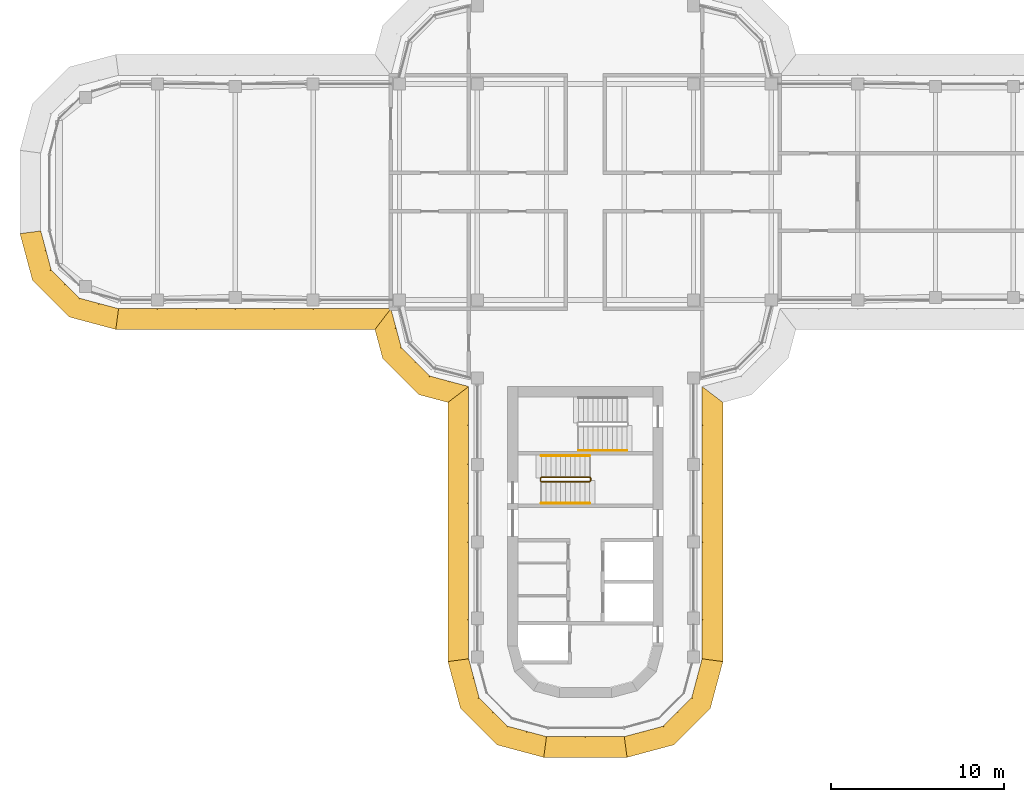
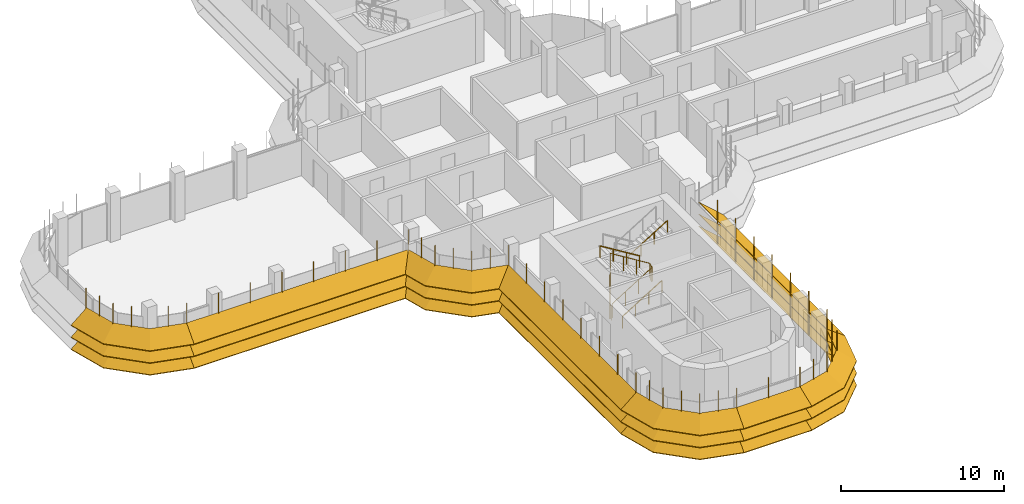
# One storey, part 16 of 19: 8 shading devices, 4 railings.
"""IFC4 building model written with IfcOpenShell, lengths in metres."""

from ifc_helpers import new_model, si_unit, direction, frame, origin, origin_2d, place, context, subcontext, project, spatial, polyline, circle, outline, extrude, faceted_brep, source, transform, mapped, material, type_object, element, save


model = new_model("IFC4")

# Units and contexts
model_context = context("Model", 3, precision=1e-05, world=origin(), true_north=direction((0.0, 1.0)))
body_context = subcontext(model_context, "Body", "Model", "MODEL_VIEW")
ifc_project = project(units=[si_unit("LENGTHUNIT", "METRE"), si_unit("AREAUNIT", "SQUARE_METRE"), si_unit("VOLUMEUNIT", "CUBIC_METRE"), si_unit("PLANEANGLEUNIT", "RADIAN"), si_unit("MASSUNIT", "GRAM", prefix="KILO")], contexts=[model_context])

# Site, building, storey
site_placement = place(None, origin())
site = spatial("IfcSite", under=ifc_project, at=site_placement, CompositionType="ELEMENT")
building_placement = place(site_placement, origin())
building = spatial("IfcBuilding", under=site, at=building_placement, Name="Zarbagh Exchange Tower", CompositionType="ELEMENT")
storey_placement = place(building_placement, frame((0.0, 0.0, 237.199951171875)))
storey = spatial("IfcBuildingStorey", under=building, at=storey_placement, Name="L58", CompositionType="ELEMENT", Elevation=237.199951171875)

# Railings
ifc_material_1 = material(Name="Stainless steel", Category="steel")
railing_type_1 = type_object("IfcRailingType", Name="Stair guard 1100 mm", PredefinedType="GUARDRAIL", material=ifc_material_1)
railing_1_placement = place(storey_placement, frame((-2.550048828125, -16.75, 0.1728515625)))
element("IfcRailing", 1, at=railing_1_placement, inside=storey, type_object=railing_type_1, Name="ST3 stair guard 1", PredefinedType="GUARDRAIL", context=body_context, shape_type="SweptSolid", body=[
    extrude(circle(Radius=0.02392578125, at=origin_2d()), frame((0.0, 0.0, 1.076171875), z_axis=(0.851089632645, 0.0, 0.525020415988), x_axis=(0.0, 1.0, 0.0)), (0.0, 0.0, 1.0), 3.2900390625),
    extrude(circle(Radius=0.02392578125, at=origin_2d()), frame((2.800048828125, 0.0, 2.80322265625), z_axis=(0.707106781187, 0.707106781187, 0.0), x_axis=(-0.707106781187, 0.707106781187, 0.0)), (0.0, 0.0, 1.0), 0.07080078125),
    extrude(circle(Radius=0.02392578125, at=origin_2d()), frame((2.85009765625, 0.050048828125, 2.80322265625), z_axis=(0.0, 1.0, 0.0), x_axis=(-1.0, 0.0, 0.0)), (0.0, 0.0, 1.0), 0.14990234375),
    extrude(circle(Radius=0.02392578125, at=origin_2d()), frame((2.85009765625, 0.199951171875, 2.80322265625), z_axis=(-0.268277960024, 0.268277960024, 0.925231793839), x_axis=(-0.707106781187, -0.707106781187, 0.0)), (0.0, 0.0, 1.0), 0.1865234375),
    extrude(circle(Radius=0.02392578125, at=origin_2d()), frame((2.800048828125, 0.25, 2.97607421875), z_axis=(-0.851089632645, 0.0, 0.525020415988), x_axis=(0.0, -1.0, 0.0)), (0.0, 0.0, 1.0), 3.2900390625),
    extrude(circle(Radius=0.02392578125, at=origin_2d()), frame((0.0, 0.25, 4.703125), z_axis=(-0.013168290981, -0.013168290981, -0.999826581076), x_axis=(0.707106781187, -0.707106781187, 0.0)), (0.0, 0.0, 1.0), 3.80078125),
    extrude(circle(Radius=0.02392578125, at=origin_2d()), frame((-0.050048828125, 0.199951171875, 0.9033203125), z_axis=(0.0, -1.0, 0.0), x_axis=(1.0, 0.0, 0.0)), (0.0, 0.0, 1.0), 0.14990234375),
    extrude(circle(Radius=0.02099609375, at=origin_2d()), origin(), (0.0, 0.0, 1.0), 1.052001953125),
    extrude(circle(Radius=0.02099609375, at=origin_2d()), frame((0.933349609375, 0.0, 0.57568359375)), (0.0, 0.0, 1.0), 1.052001953125),
    extrude(circle(Radius=0.02099609375, at=origin_2d()), frame((1.86669921875, 0.0, 1.151611328125)), (0.0, 0.0, 1.0), 1.052001953125),
    extrude(circle(Radius=0.02099609375, at=origin_2d()), frame((2.800048828125, 0.0, 1.727294921875)), (0.0, 0.0, 1.0), 1.052001953125),
    extrude(circle(Radius=0.02099609375, at=origin_2d()), frame((2.85009765625, 0.050048828125, 1.727294921875)), (0.0, 0.0, 1.0), 1.052001953125),
    extrude(circle(Radius=0.02099609375, at=origin_2d()), frame((2.85009765625, 0.199951171875, 1.727294921875)), (0.0, 0.0, 1.0), 1.052001953125),
    extrude(circle(Radius=0.02099609375, at=origin_2d()), frame((2.800048828125, 0.25, 1.89990234375)), (0.0, 0.0, 1.0), 1.052001953125),
    extrude(circle(Radius=0.02099609375, at=origin_2d()), frame((1.86669921875, 0.25, 2.4755859375)), (0.0, 0.0, 1.0), 1.052001953125),
    extrude(circle(Radius=0.02099609375, at=origin_2d()), frame((0.933349609375, 0.25, 3.051513671875)), (0.0, 0.0, 1.0), 1.052001953125),
    extrude(circle(Radius=0.02099609375, at=origin_2d()), frame((0.0, 0.25, 3.627197265625)), (0.0, 0.0, 1.0), 1.052001953125),
    extrude(circle(Radius=0.02099609375, at=origin_2d()), frame((-0.012451171875, 0.237548828125, 2.67724609375)), (0.0, 0.0, 1.0), 1.052001953125),
    extrude(circle(Radius=0.02099609375, at=origin_2d()), frame((-0.02490234375, 0.22509765625, 1.72705078125)), (0.0, 0.0, 1.0), 1.052001953125),
    extrude(circle(Radius=0.02099609375, at=origin_2d()), frame((-0.03759765625, 0.21240234375, 0.777099609375)), (0.0, 0.0, 1.0), 1.052001953125),
    extrude(circle(Radius=0.02099609375, at=origin_2d()), frame((-0.050048828125, 0.199951171875, -0.1728515625)), (0.0, 0.0, 1.0), 1.052001953125),
    extrude(circle(Radius=0.02099609375, at=origin_2d()), frame((-0.050048828125, 0.050048828125, -0.1728515625)), (0.0, 0.0, 1.0), 1.052001953125),
])
railing_type_2 = type_object("IfcRailingType", Name="Stair handrail 900 mm", PredefinedType="HANDRAIL", material=ifc_material_1)
railing_2_placement = place(storey_placement, frame((-2.550048828125, -18.0, 0.1728515625)))
element("IfcRailing", 2, at=railing_2_placement, inside=storey, type_object=railing_type_2, Name="ST3 stair handrail 1", PredefinedType="HANDRAIL", context=body_context, shape_type="SweptSolid", body=[
    extrude(circle(Radius=0.02392578125, at=origin_2d()), frame((0.0, 0.0, 0.8759765625), z_axis=(0.851089632645, 0.0, 0.525020415988), x_axis=(0.0, 1.0, 0.0)), (0.0, 0.0, 1.0), 3.2900390625),
    extrude(circle(Radius=0.02099609375, at=origin_2d()), origin(), (0.0, 0.0, 1.0), 0.851806640625),
    extrude(circle(Radius=0.02099609375, at=origin_2d()), frame((0.933349609375, 0.0, 0.57568359375)), (0.0, 0.0, 1.0), 0.851806640625),
    extrude(circle(Radius=0.02099609375, at=origin_2d()), frame((1.86669921875, 0.0, 1.151611328125)), (0.0, 0.0, 1.0), 0.851806640625),
    extrude(circle(Radius=0.02099609375, at=origin_2d()), frame((2.800048828125, 0.0, 1.727294921875)), (0.0, 0.0, 1.0), 0.851806640625),
])
railing_3_placement = place(storey_placement, frame((0.25, -15.25, 2.07275390625)))
element("IfcRailing", 3, at=railing_3_placement, inside=storey, type_object=railing_type_2, Name="ST3 stair handrail 2", PredefinedType="HANDRAIL", context=body_context, shape_type="SweptSolid", body=[
    extrude(circle(Radius=0.02392578125, at=origin_2d()), frame((0.0, 0.0, 0.8759765625), z_axis=(-0.851089632645, 0.0, 0.525020415988), x_axis=(0.0, -1.0, 0.0)), (0.0, 0.0, 1.0), 3.2900390625),
    extrude(circle(Radius=0.02099609375, at=origin_2d()), origin(), (0.0, 0.0, 1.0), 0.851806640625),
    extrude(circle(Radius=0.02099609375, at=origin_2d()), frame((-0.933349609375, 0.0, 0.57568359375)), (0.0, 0.0, 1.0), 0.851806640625),
    extrude(circle(Radius=0.02099609375, at=origin_2d()), frame((-1.86669921875, 0.0, 1.151611328125)), (0.0, 0.0, 1.0), 0.851806640625),
    extrude(circle(Radius=0.02099609375, at=origin_2d()), frame((-2.800048828125, 0.0, 1.727294921875)), (0.0, 0.0, 1.0), 0.851806640625),
])
railing_4_placement = place(storey_placement, frame((-0.39990234375, -14.949951171875, 2.07275390625)))
element("IfcRailing", 4, at=railing_4_placement, inside=storey, type_object=railing_type_2, Name="ST4 stair handrail 2", PredefinedType="HANDRAIL", context=body_context, shape_type="SweptSolid", body=[
    extrude(circle(Radius=0.02392578125, at=origin_2d()), frame((0.0, 0.0, 0.8759765625), z_axis=(0.851069175582, 0.0, 0.525053576669), x_axis=(0.0, 1.0, 0.0)), (0.0, 0.0, 1.0), 3.289794921875),
    extrude(circle(Radius=0.02099609375, at=origin_2d()), origin(), (0.0, 0.0, 1.0), 0.851806640625),
    extrude(circle(Radius=0.02099609375, at=origin_2d()), frame((0.933349609375, 0.0, 0.57568359375)), (0.0, 0.0, 1.0), 0.851806640625),
    extrude(circle(Radius=0.02099609375, at=origin_2d()), frame((1.866455078125, 0.0, 1.151611328125)), (0.0, 0.0, 1.0), 0.851806640625),
    extrude(circle(Radius=0.02099609375, at=origin_2d()), frame((2.7998046875, 0.0, 1.727294921875)), (0.0, 0.0, 1.0), 0.851806640625),
])

# Shading devices
ifc_material_2 = material(Name="Anodised aluminium blades and brackets", Category="aluminium")
shading_device_type = type_object("IfcShadingDeviceType", Name="SUNSHADE louvre band, 33.75 degree blades", PredefinedType="JALOUSIE", material=ifc_material_2)
shared_shape_1 = source(origin(), body_context, "Body", "Brep", [
    faceted_brep([(0.0, 0.0, 0.0), (0.0, 0.0, -0.048095703125), (-0.157958984375, -1.199951171875, -0.849853515625), (-0.157958984375, -1.199951171875, -0.8017578125), (2.65087890625, -1.199951171875, -0.8017578125), (2.65087890625, -1.199951171875, -0.849853515625), (2.329345703125, 0.0, -0.048095703125), (2.329345703125, 0.0, 0.0)], [[[0, 1, 2, 3]], [[4, 5, 6, 7]], [[0, 7, 6, 1]], [[1, 6, 5, 2]], [[2, 5, 4, 3]], [[3, 4, 7, 0]]]),
])
shared_shape_2 = source(origin(), body_context, "Body", "Brep", [
    faceted_brep([(0.0, 0.0, 0.0), (0.0, 0.0, -0.048095703125), (-0.321533203125, -1.199951171875, -0.849853515625), (-0.321533203125, -1.199951171875, -0.8017578125), (2.65087890625, -1.199951171875, -0.8017578125), (2.65087890625, -1.199951171875, -0.849853515625), (2.329345703125, 0.0, -0.048095703125), (2.329345703125, 0.0, 0.0)], [[[0, 1, 2, 3]], [[4, 5, 6, 7]], [[0, 7, 6, 1]], [[1, 6, 5, 2]], [[2, 5, 4, 3]], [[3, 4, 7, 0]]]),
])
shared_shape_3 = source(origin(), body_context, "Body", "Brep", [
    faceted_brep([(0.0, 0.0, 0.0), (0.0, 0.0, -0.048095703125), (-0.321533203125, -1.199951171875, -0.849853515625), (-0.321533203125, -1.199951171875, -0.8017578125), (2.4873046875, -1.199951171875, -0.8017578125), (2.4873046875, -1.199951171875, -0.849853515625), (2.329345703125, 0.0, -0.048095703125), (2.329345703125, 0.0, 0.0)], [[[0, 1, 2, 3]], [[4, 5, 6, 7]], [[0, 7, 6, 1]], [[1, 6, 5, 2]], [[2, 5, 4, 3]], [[3, 4, 7, 0]]]),
])
shared_shape_4 = source(origin(), body_context, "Body", "SweptSolid", [
    extrude(outline(polyline([(0.0, -0.012451171875), (0.06005859375, -0.012451171875), (0.06005859375, 0.012451171875), (0.0, 0.012451171875), (0.0, -0.012451171875)])), origin(), (0.0, 0.0, 1.0), 3.358154296875),
])
placement = place(storey_placement, origin())
element("IfcShadingDevice", 5, at=placement, inside=storey, type_object=shading_device_type, Name="SS35 sunshade band", PredefinedType="JALOUSIE", context=body_context, shape_type="MappedRepresentation", body=[
    mapped(shared_shape_1, transform((2.25, -31.5, 2.300048828125), x_axis=(0.965924289636, 0.258824779902, 0.0), y_axis=(-0.258824779902, 0.965924289636, 0.0), z_axis=(0.0, 0.0, 1.0))),
    mapped(shared_shape_1, transform((2.25, -31.5, 1.400146484375), x_axis=(0.965924289636, 0.258824779902, 0.0), y_axis=(-0.258824779902, 0.965924289636, 0.0), z_axis=(0.0, 0.0, 1.0))),
    mapped(shared_shape_1, transform((2.25, -31.5, 0.5), x_axis=(0.965924289636, 0.258824779902, 0.0), y_axis=(-0.258824779902, 0.965924289636, 0.0), z_axis=(0.0, 0.0, 1.0))),
    mapped(shared_shape_2, transform((4.5, -30.897216796875, 2.300048828125), x_axis=(0.707106781187, 0.707106781187, 0.0), y_axis=(-0.707106781187, 0.707106781187, 0.0), z_axis=(0.0, 0.0, 1.0))),
    mapped(shared_shape_2, transform((4.5, -30.897216796875, 1.400146484375), x_axis=(0.707106781187, 0.707106781187, 0.0), y_axis=(-0.707106781187, 0.707106781187, 0.0), z_axis=(0.0, 0.0, 1.0))),
    mapped(shared_shape_2, transform((4.5, -30.897216796875, 0.5), x_axis=(0.707106781187, 0.707106781187, 0.0), y_axis=(-0.707106781187, 0.707106781187, 0.0), z_axis=(0.0, 0.0, 1.0))),
    mapped(shared_shape_3, transform((6.147216796875, -29.25, 2.300048828125), x_axis=(0.258824779902, 0.965924289636, 0.0), y_axis=(-0.965924289636, 0.258824779902, 0.0), z_axis=(0.0, 0.0, 1.0))),
    mapped(shared_shape_3, transform((6.147216796875, -29.25, 1.400146484375), x_axis=(0.258824779902, 0.965924289636, 0.0), y_axis=(-0.965924289636, 0.258824779902, 0.0), z_axis=(0.0, 0.0, 1.0))),
    mapped(shared_shape_3, transform((6.147216796875, -29.25, 0.5), x_axis=(0.258824779902, 0.965924289636, 0.0), y_axis=(-0.965924289636, 0.258824779902, 0.0), z_axis=(0.0, 0.0, 1.0))),
    mapped(shared_shape_4, transform((2.25, -31.5, 0.421875), x_axis=(0.130529263012, -0.991444457092, 0.0), y_axis=(0.991444457092, 0.130529263012, 0.0), z_axis=(0.0, 0.0, 1.0))),
    mapped(shared_shape_4, transform((3.375, -31.198486328125, 0.421875), x_axis=(0.258825058029, -0.96592421511, 0.0), y_axis=(0.96592421511, 0.258825058029, 0.0), z_axis=(0.0, 0.0, 1.0))),
    mapped(shared_shape_4, transform((4.5, -30.897216796875, 0.421875), x_axis=(0.50000275701, -0.866023812018, 0.0), y_axis=(0.866023812018, 0.50000275701, 0.0), z_axis=(0.0, 0.0, 1.0))),
    mapped(shared_shape_4, transform((5.323486328125, -30.073486328125, 0.421875), x_axis=(0.707106781187, -0.707106781187, 0.0), y_axis=(0.707106781187, 0.707106781187, 0.0), z_axis=(0.0, 0.0, 1.0))),
    mapped(shared_shape_4, transform((6.147216796875, -29.25, 0.421875), x_axis=(0.866023812018, -0.50000275701, 0.0), y_axis=(0.50000275701, 0.866023812018, 0.0), z_axis=(0.0, 0.0, 1.0))),
    mapped(shared_shape_4, transform((6.448486328125, -28.125, 0.421875), x_axis=(0.96592421511, -0.258825058029, 0.0), y_axis=(0.258825058029, 0.96592421511, 0.0), z_axis=(0.0, 0.0, 1.0))),
])
element("IfcShadingDevice", 6, at=placement, inside=storey, type_object=shading_device_type, Name="SS43 sunshade band", PredefinedType="JALOUSIE", context=body_context, shape_type="MappedRepresentation", body=[
    mapped(shared_shape_1, transform((-31.5, -2.25, 2.300048828125), x_axis=(0.258824779902, -0.965924289636, 0.0), y_axis=(0.965924289636, 0.258824779902, 0.0), z_axis=(0.0, 0.0, 1.0))),
    mapped(shared_shape_1, transform((-31.5, -2.25, 1.400146484375), x_axis=(0.258824779902, -0.965924289636, 0.0), y_axis=(0.965924289636, 0.258824779902, 0.0), z_axis=(0.0, 0.0, 1.0))),
    mapped(shared_shape_1, transform((-31.5, -2.25, 0.5), x_axis=(0.258824779902, -0.965924289636, 0.0), y_axis=(0.965924289636, 0.258824779902, 0.0), z_axis=(0.0, 0.0, 1.0))),
    mapped(shared_shape_2, transform((-30.897216796875, -4.5, 2.300048828125), x_axis=(0.707106781187, -0.707106781187, 0.0), y_axis=(0.707106781187, 0.707106781187, 0.0), z_axis=(0.0, 0.0, 1.0))),
    mapped(shared_shape_2, transform((-30.897216796875, -4.5, 1.400146484375), x_axis=(0.707106781187, -0.707106781187, 0.0), y_axis=(0.707106781187, 0.707106781187, 0.0), z_axis=(0.0, 0.0, 1.0))),
    mapped(shared_shape_2, transform((-30.897216796875, -4.5, 0.5), x_axis=(0.707106781187, -0.707106781187, 0.0), y_axis=(0.707106781187, 0.707106781187, 0.0), z_axis=(0.0, 0.0, 1.0))),
    mapped(shared_shape_3, transform((-29.25, -6.147216796875, 2.300048828125), x_axis=(0.965924289636, -0.258824779902, 0.0), y_axis=(0.258824779902, 0.965924289636, 0.0), z_axis=(0.0, 0.0, 1.0))),
    mapped(shared_shape_3, transform((-29.25, -6.147216796875, 1.400146484375), x_axis=(0.965924289636, -0.258824779902, 0.0), y_axis=(0.258824779902, 0.965924289636, 0.0), z_axis=(0.0, 0.0, 1.0))),
    mapped(shared_shape_3, transform((-29.25, -6.147216796875, 0.5), x_axis=(0.965924289636, -0.258824779902, 0.0), y_axis=(0.258824779902, 0.965924289636, 0.0), z_axis=(0.0, 0.0, 1.0))),
    mapped(shared_shape_4, transform((-31.5, -2.25, 0.421875), x_axis=(-0.991444457092, -0.130529263012, 0.0), y_axis=(0.130529263012, -0.991444457092, 0.0), z_axis=(0.0, 0.0, 1.0))),
    mapped(shared_shape_4, transform((-31.198486328125, -3.375, 0.421875), x_axis=(-0.96592421511, -0.258825058029, 0.0), y_axis=(0.258825058029, -0.96592421511, 0.0), z_axis=(0.0, 0.0, 1.0))),
    mapped(shared_shape_4, transform((-30.897216796875, -4.5, 0.421875), x_axis=(-0.866023812018, -0.50000275701, 0.0), y_axis=(0.50000275701, -0.866023812018, 0.0), z_axis=(0.0, 0.0, 1.0))),
    mapped(shared_shape_4, transform((-30.073486328125, -5.323486328125, 0.421875), x_axis=(-0.707106781187, -0.707106781187, 0.0), y_axis=(0.707106781187, -0.707106781187, 0.0), z_axis=(0.0, 0.0, 1.0))),
    mapped(shared_shape_4, transform((-29.25, -6.147216796875, 0.421875), x_axis=(-0.50000275701, -0.866023812018, 0.0), y_axis=(0.866023812018, -0.50000275701, 0.0), z_axis=(0.0, 0.0, 1.0))),
    mapped(shared_shape_4, transform((-28.125, -6.448486328125, 0.421875), x_axis=(-0.258825058029, -0.96592421511, 0.0), y_axis=(0.96592421511, -0.258825058029, 0.0), z_axis=(0.0, 0.0, 1.0))),
])
element("IfcShadingDevice", 7, at=placement, inside=storey, type_object=shading_device_type, Name="SS38 sunshade band", PredefinedType="JALOUSIE", context=body_context, shape_type="MappedRepresentation", body=[
    mapped(shared_shape_1, transform((-6.75, -27.0, 2.300048828125), x_axis=(0.258824779902, -0.965924289636, 0.0), y_axis=(0.965924289636, 0.258824779902, 0.0), z_axis=(0.0, 0.0, 1.0))),
    mapped(shared_shape_1, transform((-6.75, -27.0, 1.400146484375), x_axis=(0.258824779902, -0.965924289636, 0.0), y_axis=(0.965924289636, 0.258824779902, 0.0), z_axis=(0.0, 0.0, 1.0))),
    mapped(shared_shape_1, transform((-6.75, -27.0, 0.5), x_axis=(0.258824779902, -0.965924289636, 0.0), y_axis=(0.965924289636, 0.258824779902, 0.0), z_axis=(0.0, 0.0, 1.0))),
    mapped(shared_shape_2, transform((-6.147216796875, -29.25, 2.300048828125), x_axis=(0.707106781187, -0.707106781187, 0.0), y_axis=(0.707106781187, 0.707106781187, 0.0), z_axis=(0.0, 0.0, 1.0))),
    mapped(shared_shape_2, transform((-6.147216796875, -29.25, 1.400146484375), x_axis=(0.707106781187, -0.707106781187, 0.0), y_axis=(0.707106781187, 0.707106781187, 0.0), z_axis=(0.0, 0.0, 1.0))),
    mapped(shared_shape_2, transform((-6.147216796875, -29.25, 0.5), x_axis=(0.707106781187, -0.707106781187, 0.0), y_axis=(0.707106781187, 0.707106781187, 0.0), z_axis=(0.0, 0.0, 1.0))),
    mapped(shared_shape_3, transform((-4.5, -30.897216796875, 2.300048828125), x_axis=(0.965924289636, -0.258824779902, 0.0), y_axis=(0.258824779902, 0.965924289636, 0.0), z_axis=(0.0, 0.0, 1.0))),
    mapped(shared_shape_3, transform((-4.5, -30.897216796875, 1.400146484375), x_axis=(0.965924289636, -0.258824779902, 0.0), y_axis=(0.258824779902, 0.965924289636, 0.0), z_axis=(0.0, 0.0, 1.0))),
    mapped(shared_shape_3, transform((-4.5, -30.897216796875, 0.5), x_axis=(0.965924289636, -0.258824779902, 0.0), y_axis=(0.258824779902, 0.965924289636, 0.0), z_axis=(0.0, 0.0, 1.0))),
    mapped(shared_shape_4, transform((-6.75, -27.0, 0.421875), x_axis=(-0.991444457092, -0.130529263012, 0.0), y_axis=(0.130529263012, -0.991444457092, 0.0), z_axis=(0.0, 0.0, 1.0))),
    mapped(shared_shape_4, transform((-6.448486328125, -28.125, 0.421875), x_axis=(-0.96592421511, -0.258825058029, 0.0), y_axis=(0.258825058029, -0.96592421511, 0.0), z_axis=(0.0, 0.0, 1.0))),
    mapped(shared_shape_4, transform((-6.147216796875, -29.25, 0.421875), x_axis=(-0.866023812018, -0.50000275701, 0.0), y_axis=(0.50000275701, -0.866023812018, 0.0), z_axis=(0.0, 0.0, 1.0))),
    mapped(shared_shape_4, transform((-5.323486328125, -30.073486328125, 0.421875), x_axis=(-0.707106781187, -0.707106781187, 0.0), y_axis=(0.707106781187, -0.707106781187, 0.0), z_axis=(0.0, 0.0, 1.0))),
    mapped(shared_shape_4, transform((-4.5, -30.897216796875, 0.421875), x_axis=(-0.50000275701, -0.866023812018, 0.0), y_axis=(0.866023812018, -0.50000275701, 0.0), z_axis=(0.0, 0.0, 1.0))),
    mapped(shared_shape_4, transform((-3.375, -31.198486328125, 0.421875), x_axis=(-0.258825058029, -0.96592421511, 0.0), y_axis=(0.96592421511, -0.258825058029, 0.0), z_axis=(0.0, 0.0, 1.0))),
])
shared_shape_5 = source(origin(), body_context, "Body", "Brep", [
    faceted_brep([(0.0, 0.0, 0.0), (0.0, 0.0, -0.048095703125), (0.9208984375, -1.199951171875, -0.849853515625), (0.9208984375, -1.199951171875, -0.8017578125), (2.65087890625, -1.199951171875, -0.8017578125), (2.65087890625, -1.199951171875, -0.849853515625), (2.329345703125, 0.0, -0.048095703125), (2.329345703125, 0.0, 0.0)], [[[0, 1, 2, 3]], [[4, 5, 6, 7]], [[0, 7, 6, 1]], [[1, 6, 5, 2]], [[2, 5, 4, 3]], [[3, 4, 7, 0]]]),
])
shared_shape_6 = source(origin(), body_context, "Body", "Brep", [
    faceted_brep([(0.0, 0.0, 0.0), (0.0, 0.0, -0.048095703125), (-0.321533203125, -1.199951171875, -0.849853515625), (-0.321533203125, -1.199951171875, -0.8017578125), (1.40869140625, -1.199951171875, -0.8017578125), (1.40869140625, -1.199951171875, -0.849853515625), (2.329345703125, 0.0, -0.048095703125), (2.329345703125, 0.0, 0.0)], [[[0, 1, 2, 3]], [[4, 5, 6, 7]], [[0, 7, 6, 1]], [[1, 6, 5, 2]], [[2, 5, 4, 3]], [[3, 4, 7, 0]]]),
])
element("IfcShadingDevice", 8, at=placement, inside=storey, type_object=shading_device_type, Name="SS21 sunshade band", PredefinedType="JALOUSIE", context=body_context, shape_type="MappedRepresentation", body=[
    mapped(shared_shape_5, transform((-11.25, -6.75, 2.300048828125), x_axis=(0.258824779902, -0.965924289636, 0.0), y_axis=(0.965924289636, 0.258824779902, 0.0), z_axis=(0.0, 0.0, 1.0))),
    mapped(shared_shape_5, transform((-11.25, -6.75, 1.400146484375), x_axis=(0.258824779902, -0.965924289636, 0.0), y_axis=(0.965924289636, 0.258824779902, 0.0), z_axis=(0.0, 0.0, 1.0))),
    mapped(shared_shape_5, transform((-11.25, -6.75, 0.5), x_axis=(0.258824779902, -0.965924289636, 0.0), y_axis=(0.965924289636, 0.258824779902, 0.0), z_axis=(0.0, 0.0, 1.0))),
    mapped(shared_shape_2, transform((-10.647216796875, -9.0, 2.300048828125), x_axis=(0.707106781187, -0.707106781187, 0.0), y_axis=(0.707106781187, 0.707106781187, 0.0), z_axis=(0.0, 0.0, 1.0))),
    mapped(shared_shape_2, transform((-10.647216796875, -9.0, 1.400146484375), x_axis=(0.707106781187, -0.707106781187, 0.0), y_axis=(0.707106781187, 0.707106781187, 0.0), z_axis=(0.0, 0.0, 1.0))),
    mapped(shared_shape_2, transform((-10.647216796875, -9.0, 0.5), x_axis=(0.707106781187, -0.707106781187, 0.0), y_axis=(0.707106781187, 0.707106781187, 0.0), z_axis=(0.0, 0.0, 1.0))),
    mapped(shared_shape_6, transform((-9.0, -10.647216796875, 2.300048828125), x_axis=(0.965924289636, -0.258824779902, 0.0), y_axis=(0.258824779902, 0.965924289636, 0.0), z_axis=(0.0, 0.0, 1.0))),
    mapped(shared_shape_6, transform((-9.0, -10.647216796875, 1.400146484375), x_axis=(0.965924289636, -0.258824779902, 0.0), y_axis=(0.258824779902, 0.965924289636, 0.0), z_axis=(0.0, 0.0, 1.0))),
    mapped(shared_shape_6, transform((-9.0, -10.647216796875, 0.5), x_axis=(0.965924289636, -0.258824779902, 0.0), y_axis=(0.258824779902, 0.965924289636, 0.0), z_axis=(0.0, 0.0, 1.0))),
    mapped(shared_shape_4, transform((-11.25, -6.75, 0.421875), x_axis=(-0.608758892, -0.793355287, 0.0), y_axis=(0.793355287, -0.608758892, 0.0), z_axis=(0.0, 0.0, 1.0))),
    mapped(shared_shape_4, transform((-10.948486328125, -7.875, 0.421875), x_axis=(-0.96592421511, -0.258825058029, 0.0), y_axis=(0.258825058029, -0.96592421511, 0.0), z_axis=(0.0, 0.0, 1.0))),
    mapped(shared_shape_4, transform((-10.647216796875, -9.0, 0.421875), x_axis=(-0.866023812018, -0.50000275701, 0.0), y_axis=(0.50000275701, -0.866023812018, 0.0), z_axis=(0.0, 0.0, 1.0))),
    mapped(shared_shape_4, transform((-9.823486328125, -9.823486328125, 0.421875), x_axis=(-0.707106781187, -0.707106781187, 0.0), y_axis=(0.707106781187, -0.707106781187, 0.0), z_axis=(0.0, 0.0, 1.0))),
    mapped(shared_shape_4, transform((-9.0, -10.647216796875, 0.421875), x_axis=(-0.50000275701, -0.866023812018, 0.0), y_axis=(0.866023812018, -0.50000275701, 0.0), z_axis=(0.0, 0.0, 1.0))),
    mapped(shared_shape_4, transform((-7.875, -10.948486328125, 0.421875), x_axis=(-0.258825058029, -0.96592421511, 0.0), y_axis=(0.96592421511, -0.258825058029, 0.0), z_axis=(0.0, 0.0, 1.0))),
])
shared_shape_7 = source(origin(), body_context, "Body", "Brep", [
    faceted_brep([(0.0, 0.0, 0.0), (0.0, 0.0, -0.048095703125), (-0.157958984375, -1.199951171875, -0.849853515625), (-0.157958984375, -1.199951171875, -0.8017578125), (14.8291015625, -1.199951171875, -0.8017578125), (14.8291015625, -1.199951171875, -0.849853515625), (15.75, 0.0, -0.048095703125), (15.75, 0.0, 0.0)], [[[0, 1, 2, 3]], [[4, 5, 6, 7]], [[0, 7, 6, 1]], [[1, 6, 5, 2]], [[2, 5, 4, 3]], [[3, 4, 7, 0]]]),
])
element("IfcShadingDevice", 9, at=placement, inside=storey, type_object=shading_device_type, Name="SS36 sunshade band", PredefinedType="JALOUSIE", context=body_context, shape_type="MappedRepresentation", body=[
    mapped(shared_shape_7, transform((6.75, -27.0, 2.300048828125), x_axis=(0.0, 1.0, 0.0), y_axis=(-1.0, 0.0, 0.0), z_axis=(0.0, 0.0, 1.0))),
    mapped(shared_shape_7, transform((6.75, -27.0, 1.400146484375), x_axis=(0.0, 1.0, 0.0), y_axis=(-1.0, 0.0, 0.0), z_axis=(0.0, 0.0, 1.0))),
    mapped(shared_shape_7, transform((6.75, -27.0, 0.5), x_axis=(0.0, 1.0, 0.0), y_axis=(-1.0, 0.0, 0.0), z_axis=(0.0, 0.0, 1.0))),
    mapped(shared_shape_4, transform((6.75, -27.0, 0.421875), x_axis=(0.991444457092, -0.130529263012, 0.0), y_axis=(0.130529263012, 0.991444457092, 0.0), z_axis=(0.0, 0.0, 1.0))),
    mapped(shared_shape_4, transform((6.75, -24.75, 0.421875), x_axis=(1.0, 0.0, 0.0), y_axis=(0.0, 1.0, 0.0), z_axis=(0.0, 0.0, 1.0))),
    mapped(shared_shape_4, transform((6.75, -22.5, 0.421875), x_axis=(1.0, 0.0, 0.0), y_axis=(0.0, 1.0, 0.0), z_axis=(0.0, 0.0, 1.0))),
    mapped(shared_shape_4, transform((6.75, -20.25, 0.421875), x_axis=(1.0, 0.0, 0.0), y_axis=(0.0, 1.0, 0.0), z_axis=(0.0, 0.0, 1.0))),
    mapped(shared_shape_4, transform((6.75, -18.0, 0.421875), x_axis=(1.0, 0.0, 0.0), y_axis=(0.0, 1.0, 0.0), z_axis=(0.0, 0.0, 1.0))),
    mapped(shared_shape_4, transform((6.75, -15.75, 0.421875), x_axis=(1.0, 0.0, 0.0), y_axis=(0.0, 1.0, 0.0), z_axis=(0.0, 0.0, 1.0))),
    mapped(shared_shape_4, transform((6.75, -13.5, 0.421875), x_axis=(1.0, 0.0, 0.0), y_axis=(0.0, 1.0, 0.0), z_axis=(0.0, 0.0, 1.0))),
])
element("IfcShadingDevice", 10, at=placement, inside=storey, type_object=shading_device_type, Name="SS44 sunshade band", PredefinedType="JALOUSIE", context=body_context, shape_type="MappedRepresentation", body=[
    mapped(shared_shape_7, transform((-27.0, -6.75, 2.300048828125), x_axis=(1.0, 0.0, 0.0), y_axis=(0.0, 1.0, 0.0), z_axis=(0.0, 0.0, 1.0))),
    mapped(shared_shape_7, transform((-27.0, -6.75, 1.400146484375), x_axis=(1.0, 0.0, 0.0), y_axis=(0.0, 1.0, 0.0), z_axis=(0.0, 0.0, 1.0))),
    mapped(shared_shape_7, transform((-27.0, -6.75, 0.5), x_axis=(1.0, 0.0, 0.0), y_axis=(0.0, 1.0, 0.0), z_axis=(0.0, 0.0, 1.0))),
    mapped(shared_shape_4, transform((-27.0, -6.75, 0.421875), x_axis=(-0.130529263012, -0.991444457092, 0.0), y_axis=(0.991444457092, -0.130529263012, 0.0), z_axis=(0.0, 0.0, 1.0))),
    mapped(shared_shape_4, transform((-24.75, -6.75, 0.421875), x_axis=(0.0, -1.0, 0.0), y_axis=(1.0, 0.0, 0.0), z_axis=(0.0, 0.0, 1.0))),
    mapped(shared_shape_4, transform((-22.5, -6.75, 0.421875), x_axis=(0.0, -1.0, 0.0), y_axis=(1.0, 0.0, 0.0), z_axis=(0.0, 0.0, 1.0))),
    mapped(shared_shape_4, transform((-20.25, -6.75, 0.421875), x_axis=(0.0, -1.0, 0.0), y_axis=(1.0, 0.0, 0.0), z_axis=(0.0, 0.0, 1.0))),
    mapped(shared_shape_4, transform((-18.0, -6.75, 0.421875), x_axis=(0.0, -1.0, 0.0), y_axis=(1.0, 0.0, 0.0), z_axis=(0.0, 0.0, 1.0))),
    mapped(shared_shape_4, transform((-15.75, -6.75, 0.421875), x_axis=(0.0, -1.0, 0.0), y_axis=(1.0, 0.0, 0.0), z_axis=(0.0, 0.0, 1.0))),
    mapped(shared_shape_4, transform((-13.5, -6.75, 0.421875), x_axis=(0.0, -1.0, 0.0), y_axis=(1.0, 0.0, 0.0), z_axis=(0.0, 0.0, 1.0))),
])
shared_shape_8 = source(origin(), body_context, "Body", "Brep", [
    faceted_brep([(0.0, 0.0, 0.0), (0.0, 0.0, -0.048095703125), (0.9208984375, -1.199951171875, -0.849853515625), (0.9208984375, -1.199951171875, -0.8017578125), (15.907958984375, -1.199951171875, -0.8017578125), (15.907958984375, -1.199951171875, -0.849853515625), (15.75, 0.0, -0.048095703125), (15.75, 0.0, 0.0)], [[[0, 1, 2, 3]], [[4, 5, 6, 7]], [[0, 7, 6, 1]], [[1, 6, 5, 2]], [[2, 5, 4, 3]], [[3, 4, 7, 0]]]),
])
element("IfcShadingDevice", 11, at=placement, inside=storey, type_object=shading_device_type, Name="SS37 sunshade band", PredefinedType="JALOUSIE", context=body_context, shape_type="MappedRepresentation", body=[
    mapped(shared_shape_8, transform((-6.75, -11.25, 2.300048828125), x_axis=(0.0, -1.0, 0.0), y_axis=(1.0, 0.0, 0.0), z_axis=(0.0, 0.0, 1.0))),
    mapped(shared_shape_8, transform((-6.75, -11.25, 1.400146484375), x_axis=(0.0, -1.0, 0.0), y_axis=(1.0, 0.0, 0.0), z_axis=(0.0, 0.0, 1.0))),
    mapped(shared_shape_8, transform((-6.75, -11.25, 0.5), x_axis=(0.0, -1.0, 0.0), y_axis=(1.0, 0.0, 0.0), z_axis=(0.0, 0.0, 1.0))),
    mapped(shared_shape_4, transform((-6.75, -11.25, 0.421875), x_axis=(-0.793355287, -0.608758892, 0.0), y_axis=(0.608758892, -0.793355287, 0.0), z_axis=(0.0, 0.0, 1.0))),
    mapped(shared_shape_4, transform((-6.75, -13.5, 0.421875), x_axis=(-1.0, 0.0, 0.0), y_axis=(0.0, -1.0, 0.0), z_axis=(0.0, 0.0, 1.0))),
    mapped(shared_shape_4, transform((-6.75, -15.75, 0.421875), x_axis=(-1.0, 0.0, 0.0), y_axis=(0.0, -1.0, 0.0), z_axis=(0.0, 0.0, 1.0))),
    mapped(shared_shape_4, transform((-6.75, -18.0, 0.421875), x_axis=(-1.0, 0.0, 0.0), y_axis=(0.0, -1.0, 0.0), z_axis=(0.0, 0.0, 1.0))),
    mapped(shared_shape_4, transform((-6.75, -20.25, 0.421875), x_axis=(-1.0, 0.0, 0.0), y_axis=(0.0, -1.0, 0.0), z_axis=(0.0, 0.0, 1.0))),
    mapped(shared_shape_4, transform((-6.75, -22.5, 0.421875), x_axis=(-1.0, 0.0, 0.0), y_axis=(0.0, -1.0, 0.0), z_axis=(0.0, 0.0, 1.0))),
    mapped(shared_shape_4, transform((-6.75, -24.75, 0.421875), x_axis=(-1.0, 0.0, 0.0), y_axis=(0.0, -1.0, 0.0), z_axis=(0.0, 0.0, 1.0))),
])
shared_shape_9 = source(origin(), body_context, "Body", "Brep", [
    faceted_brep([(0.0, 0.0, 0.0), (0.0, 0.0, -0.048095703125), (-0.157958984375, -1.199951171875, -0.849853515625), (-0.157958984375, -1.199951171875, -0.8017578125), (4.657958984375, -1.199951171875, -0.8017578125), (4.657958984375, -1.199951171875, -0.849853515625), (4.5, 0.0, -0.048095703125), (4.5, 0.0, 0.0)], [[[0, 1, 2, 3]], [[4, 5, 6, 7]], [[0, 7, 6, 1]], [[1, 6, 5, 2]], [[2, 5, 4, 3]], [[3, 4, 7, 0]]]),
])
element("IfcShadingDevice", 12, at=placement, inside=storey, type_object=shading_device_type, Name="SS39 sunshade band", PredefinedType="JALOUSIE", context=body_context, shape_type="MappedRepresentation", body=[
    mapped(shared_shape_9, transform((-2.25, -31.5, 2.300048828125), x_axis=(1.0, 0.0, 0.0), y_axis=(0.0, 1.0, 0.0), z_axis=(0.0, 0.0, 1.0))),
    mapped(shared_shape_9, transform((-2.25, -31.5, 1.400146484375), x_axis=(1.0, 0.0, 0.0), y_axis=(0.0, 1.0, 0.0), z_axis=(0.0, 0.0, 1.0))),
    mapped(shared_shape_9, transform((-2.25, -31.5, 0.5), x_axis=(1.0, 0.0, 0.0), y_axis=(0.0, 1.0, 0.0), z_axis=(0.0, 0.0, 1.0))),
    mapped(shared_shape_4, transform((-2.25, -31.5, 0.421875), x_axis=(-0.130529263012, -0.991444457092, 0.0), y_axis=(0.991444457092, -0.130529263012, 0.0), z_axis=(0.0, 0.0, 1.0))),
    mapped(shared_shape_4, transform((0.0, -31.5, 0.421875), x_axis=(0.0, -1.0, 0.0), y_axis=(1.0, 0.0, 0.0), z_axis=(0.0, 0.0, 1.0))),
])

save(model, "model.ifc")
